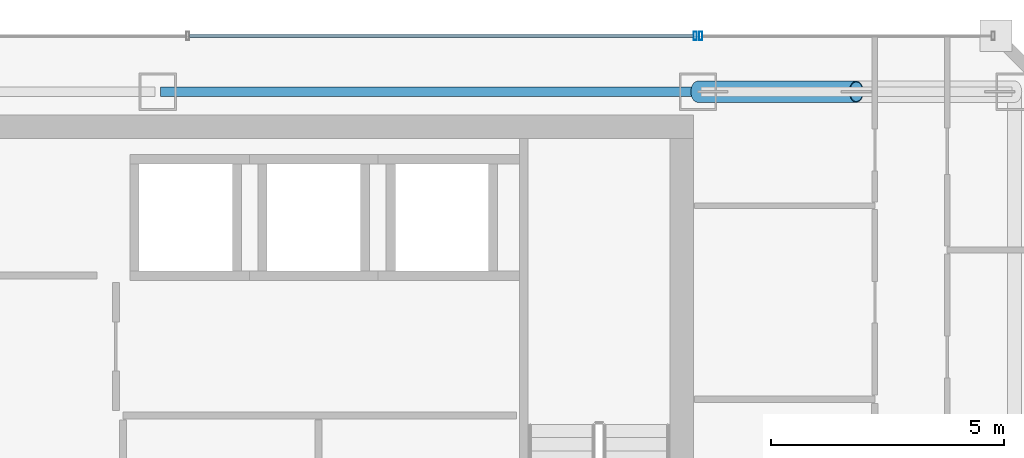
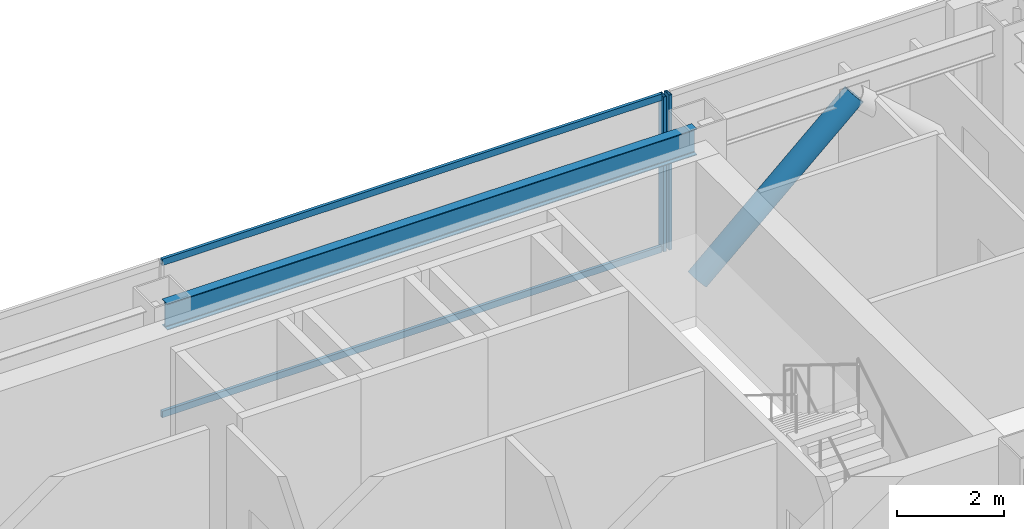
# One storey, part 26 of 36: 5 members, 1 beam, 2 elements without a shape of their own.
"""IFC4 building model written with IfcOpenShell, lengths in metres."""

from ifc_helpers import new_model, si_unit, direction, frame, origin, origin_2d, place, context, subcontext, project, spatial, hollow_rectangle, hollow_circle, i_section, extrude, material, material_profile, profile_set, type_object, element, aggregate, save


model = new_model("IFC4")

# Units and contexts
model_context = context("Model", 3, precision=1e-05, world=origin(), true_north=direction((0.0, 1.0)))
body_context = subcontext(model_context, "Body", "Model", "MODEL_VIEW")
ifc_project = project(units=[si_unit("LENGTHUNIT", "METRE"), si_unit("AREAUNIT", "SQUARE_METRE"), si_unit("VOLUMEUNIT", "CUBIC_METRE"), si_unit("PLANEANGLEUNIT", "RADIAN"), si_unit("MASSUNIT", "GRAM", prefix="KILO")], contexts=[model_context])

# Site, building, storey
site_placement = place(None, origin())
site = spatial("IfcSite", under=ifc_project, at=site_placement, CompositionType="ELEMENT")
building_placement = place(site_placement, origin())
building = spatial("IfcBuilding", under=site, at=building_placement, Name="Saevonmaru Cultural Tower", CompositionType="ELEMENT")
storey_placement = place(building_placement, frame((0.0, 0.0, 186.60009765625)))
storey = spatial("IfcBuildingStorey", under=building, at=storey_placement, Name="L42", CompositionType="ELEMENT", Elevation=186.60009765625)

# Beam
ifc_material_1 = material(Name="Steel SM355", Category="steel")
ifc_material_profile_1 = material_profile(ifc_material_1, i_section(OverallWidth=0.199951171875, OverallDepth=0.60009765625, WebThickness=0.010986328125, FlangeThickness=0.01708984375, FilletRadius=0.02197265625, at=origin_2d()), Name="H-600x200x11x17")
ifc_profile_set_1 = profile_set([ifc_material_profile_1], Name="Steel SM355")
beam_type = type_object("IfcBeamType", Name="BM-SP-H600", PredefinedType="SPANDREL", material=ifc_profile_set_1)
beam_placement = place(storey_placement, frame((34.860107421875, 54.800048828125, 3.25), z_axis=(1.0, 0.0, 0.0), x_axis=(0.0, 1.0, 0.0)))
element("IfcBeam", 1, at=beam_placement, inside=storey, type_object=beam_type, Name="L42 North Spine Girder 4", PredefinedType="SPANDREL", context=body_context, shape_type="SweptSolid", body=[
    extrude(i_section(OverallWidth=0.199951171875, OverallDepth=0.60009765625, WebThickness=0.010986328125, FlangeThickness=0.01708984375, FilletRadius=0.02197265625, at=origin_2d()), origin(), (0.0, 0.0, 1.0), 11.47998046875),
])

# Member
ifc_material_2 = material(Name="Steel SM420", Category="steel")
ifc_material_profile_2 = material_profile(ifc_material_2, hollow_circle(Radius=0.228515625, WallThickness=0.02001953125, at=origin_2d()), Name="CHS-457.2x20")
ifc_profile_set_2 = profile_set([ifc_material_profile_2], Name="Steel SM420")
member_type_1 = type_object("IfcMemberType", Name="MB-PBR-CHS457", PredefinedType="BRACE", material=ifc_profile_set_2)
member_1_placement = place(storey_placement, frame((46.39990234375, 54.800048828125, 0.02001953125), z_axis=(0.744417347397, 0.0, 0.66771461935), x_axis=(0.0, 1.0, 0.0)))
element("IfcMember", 2, at=member_1_placement, inside=storey, type_object=member_type_1, Name="L42 Perimeter Braced-Tube Diagonal EN1", PredefinedType="BRACE", context=body_context, shape_type="SweptSolid", body=[
    extrude(hollow_circle(Radius=0.228515625, WallThickness=0.02001953125, at=origin_2d()), origin(), (0.0, 0.0, 1.0), 4.567626953125),
])

# Curtain wall, member
ifc_material_3 = material(Name="Satin Bronze Anodised Aluminium", Category="aluminium")
curtain_wall_type = type_object("IfcCurtainWallType", Name="CW-TYP-B", PredefinedType="NOTDEFINED", material=ifc_material_3)
curtain_wall_1_placement = place(storey_placement, origin())
curtain_wall_1 = element("IfcCurtainWall", 3, at=curtain_wall_1_placement, inside=storey, type_object=curtain_wall_type, Name="L42 East Braced Bay Spandrel Curtain Wall E10A", PredefinedType="NOTDEFINED")
ifc_material_profile_3 = material_profile(ifc_material_3, hollow_rectangle(XDim=0.06494140625, YDim=0.179931640625, WallThickness=0.00390625, at=origin_2d()), Name="ALU-MULL-180x65x4")
ifc_profile_set_3 = profile_set([ifc_material_profile_3], Name="Satin Bronze Anodised Aluminium")
member_type_2 = type_object("IfcMemberType", Name="ML-CW-180x65", PredefinedType="MULLION", material=ifc_profile_set_3)
member_2_placement = place(storey_placement, frame((46.4599609375, 56.0, 0.0), z_axis=(0.0, 0.0, 1.0), x_axis=(-1.0, 0.0, 0.0)))
member_2 = element("IfcMember", 4, at=member_2_placement, type_object=member_type_2, Name="CW-TW-L42-E10A mullion 2", PredefinedType="MULLION", context=body_context, shape_type="SweptSolid", body=[
    extrude(hollow_rectangle(XDim=0.06494140625, YDim=0.179931640625, WallThickness=0.00390625, at=origin_2d()), origin(), (0.0, 0.0, 1.0), 3.5498046875),
])
aggregate(curtain_wall_1, [member_2])

# Curtain wall, members
curtain_wall_2_placement = place(storey_placement, origin())
curtain_wall_2 = element("IfcCurtainWall", 5, at=curtain_wall_2_placement, inside=storey, type_object=curtain_wall_type, Name="L42 North Spine Unitised Curtain Wall E10B", PredefinedType="NOTDEFINED")
member_3_placement = place(storey_placement, frame((46.340087890625, 56.0, 0.0), z_axis=(0.0, 0.0, 1.0), x_axis=(-1.0, 0.0, 0.0)))
member_3 = element("IfcMember", 6, at=member_3_placement, type_object=member_type_2, Name="CW-TW-L42-E10B mullion 1", PredefinedType="MULLION", context=body_context, shape_type="SweptSolid", body=[
    extrude(hollow_rectangle(XDim=0.06494140625, YDim=0.179931640625, WallThickness=0.00390625, at=origin_2d()), origin(), (0.0, 0.0, 1.0), 3.5498046875),
])
ifc_material_profile_4 = material_profile(ifc_material_3, hollow_rectangle(XDim=0.06494140625, YDim=0.14990234375, WallThickness=0.00390625, at=origin_2d()), Name="ALU-TRAN-150x65x4")
ifc_profile_set_4 = profile_set([ifc_material_profile_4], Name="Satin Bronze Anodised Aluminium")
member_type_3 = type_object("IfcMemberType", Name="TR-CW-150x65", PredefinedType="USERDEFINED", material=ifc_profile_set_4)
member_4_placement = place(storey_placement, frame((46.3076171875, 56.0, 0.032470703125), z_axis=(-1.0, 0.0, 0.0), x_axis=(0.0, -1.0, 0.0)))
member_4 = element("IfcMember", 7, at=member_4_placement, type_object=member_type_3, Name="CW-TW-L42-E10B transom 1.1", ObjectType="TRANSOM", PredefinedType="USERDEFINED", context=body_context, shape_type="SweptSolid", body=[
    extrude(hollow_rectangle(XDim=0.06494140625, YDim=0.14990234375, WallThickness=0.00390625, at=origin_2d()), origin(), (0.0, 0.0, 1.0), 10.828369140625),
])
member_5_placement = place(storey_placement, frame((46.3076171875, 56.0, 3.517333984375), z_axis=(-1.0, 0.0, 0.0), x_axis=(0.0, -1.0, 0.0)))
member_5 = element("IfcMember", 8, at=member_5_placement, type_object=member_type_3, Name="CW-TW-L42-E10B transom 1.2", ObjectType="TRANSOM", PredefinedType="USERDEFINED", context=body_context, shape_type="SweptSolid", body=[
    extrude(hollow_rectangle(XDim=0.06494140625, YDim=0.14990234375, WallThickness=0.00390625, at=origin_2d()), origin(), (0.0, 0.0, 1.0), 10.828369140625),
])
aggregate(curtain_wall_2, [member_3, member_4, member_5])

save(model, "model.ifc")
